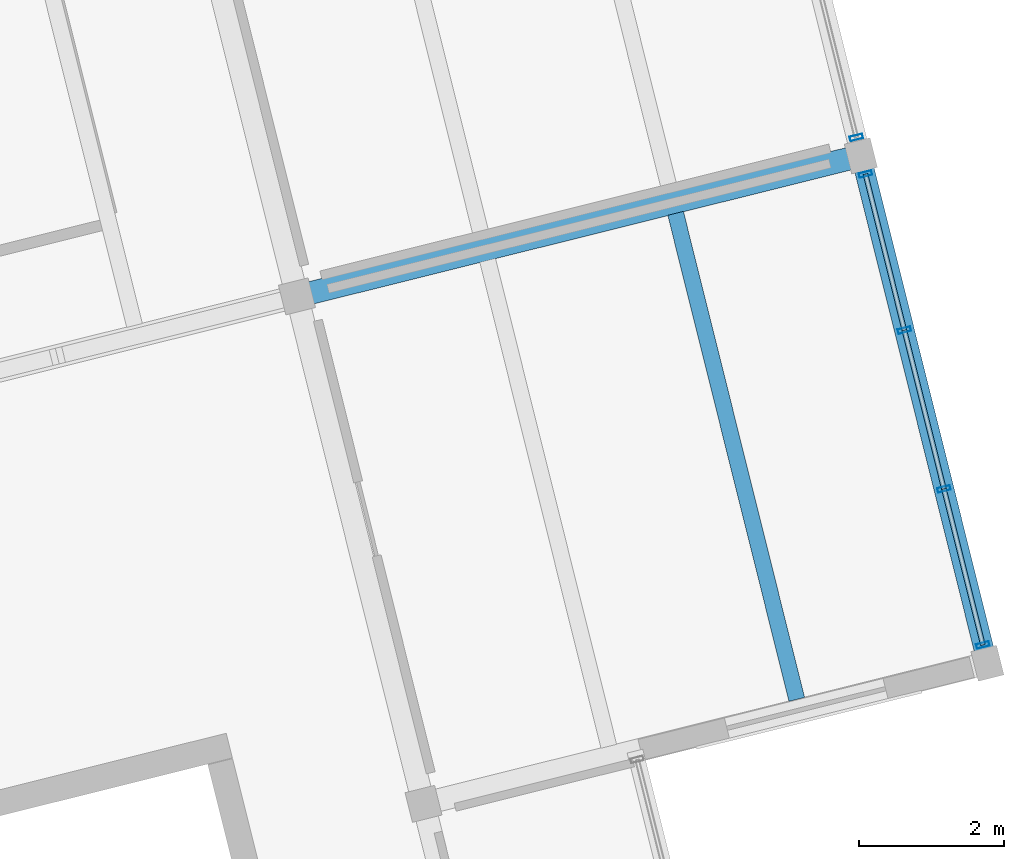
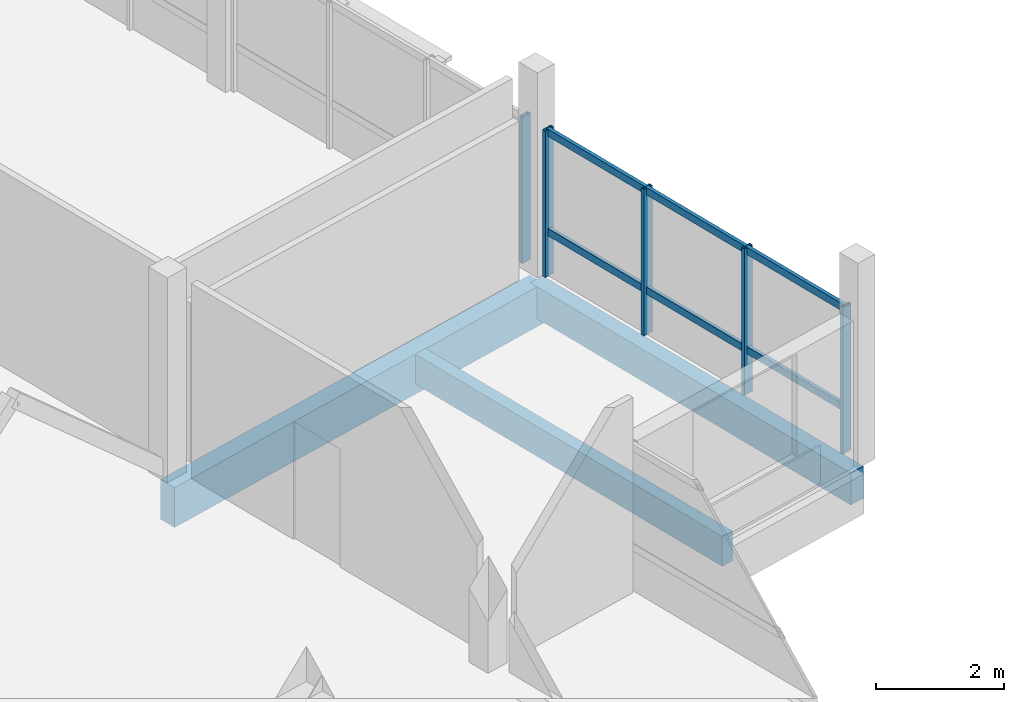
# One storey, part 16 of 28: 11 members, 3 beams, 2 elements without a shape of their own.
"""IFC4 building model written with IfcOpenShell, lengths in metres."""

from ifc_helpers import new_model, si_unit, direction, frame, origin, origin_2d, place, context, subcontext, project, spatial, rectangle, hollow_rectangle, extrude, material, layer, layer_set, material_profile, profile_set, type_object, element, aggregate, save


model = new_model("IFC4")

# Units and contexts
model_context = context("Model", 3, precision=1e-05, world=origin(), true_north=direction((0.0, 1.0)))
body_context = subcontext(model_context, "Body", "Model", "MODEL_VIEW")
ifc_project = project(units=[si_unit("LENGTHUNIT", "METRE"), si_unit("AREAUNIT", "SQUARE_METRE"), si_unit("VOLUMEUNIT", "CUBIC_METRE"), si_unit("PLANEANGLEUNIT", "RADIAN"), si_unit("MASSUNIT", "GRAM", prefix="KILO")], contexts=[model_context])

# Site, building, storey
site_placement = place(None, origin())
site = spatial("IfcSite", under=ifc_project, at=site_placement, CompositionType="ELEMENT")
building_placement = place(site_placement, origin())
building = spatial("IfcBuilding", under=site, at=building_placement, Name="Meriwether Solvik Hall", CompositionType="ELEMENT")
storey_placement = place(building_placement, frame((0.0, 0.0, 30.0)))
storey = spatial("IfcBuildingStorey", under=building, at=storey_placement, Name="L07", CompositionType="ELEMENT", Elevation=30.0)

# Beams
ifc_material_1 = material(Name="Glulam Douglas-Fir 24F-V8 GL28h", Category="wood")
ifc_material_profile_1 = material_profile(ifc_material_1, rectangle(XDim=0.27294921875, YDim=0.610107421875, at=origin_2d()), Name="GLB-273X610")
ifc_profile_set_1 = profile_set([ifc_material_profile_1], Name="Glulam Douglas-Fir 24F-V8 GL28h")
beam_type_1 = type_object("IfcBeamType", Name="BM-GL-273X610", PredefinedType="SPANDREL", material=ifc_profile_set_1)
beam_1_placement = place(storey_placement, frame((107.95458984375, 65.234619140625, -0.52490234375), z_axis=(-0.241937193493, 0.970291911955, 0.0), x_axis=(-0.970291911955, -0.241937193493, 0.0)))
element("IfcBeam", 1, at=beam_1_placement, inside=storey, type_object=beam_type_1, Name="Tower Girder T7:TC-TD (L07)", PredefinedType="SPANDREL", context=body_context, shape_type="SweptSolid", body=[
    extrude(rectangle(XDim=0.27294921875, YDim=0.610107421875, at=origin_2d()), origin(), (0.0, 0.0, 1.0), 7.199951171875),
])
ifc_material_2 = material(Name="Glulam Douglas-Fir 24F-V8 GL28h", Category="wood")
ifc_material_profile_2 = material_profile(ifc_material_2, rectangle(XDim=0.31494140625, YDim=0.760009765625, at=origin_2d()), Name="GLB-315X760")
ifc_profile_set_2 = profile_set([ifc_material_profile_2], Name="Glulam Douglas-Fir 24F-V8 GL28h")
beam_type_2 = type_object("IfcBeamType", Name="BM-GL-315X760", PredefinedType="BEAM", material=ifc_profile_set_2)
beam_2_placement = place(storey_placement, frame((98.4501953125, 70.285400390625, -0.60009765625), z_axis=(0.970298475929, 0.241910867076, 0.0), x_axis=(-0.241910867076, 0.970298475929, 0.0)))
element("IfcBeam", 2, at=beam_2_placement, inside=storey, type_object=beam_type_2, Name="Tower Girder TD:T6-T7 (L07)", PredefinedType="BEAM", context=body_context, shape_type="SweptSolid", body=[
    extrude(rectangle(XDim=0.31494140625, YDim=0.760009765625, at=origin_2d()), origin(), (0.0, 0.0, 1.0), 8.0),
])

# Curtain wall, members
ifc_material_3 = material(Name="Thermally Broken Anodised Aluminium 6063-T6 and Low-E Glass", Category="aluminium")
ifc_layer_1 = layer(ifc_material_3, 0.179931640625)
ifc_layer_set_1 = layer_set([ifc_layer_1], Name="Thermally Broken Anodised Aluminium 6063-T6 and Low-E Glass")
curtain_wall_type_1 = type_object("IfcCurtainWallType", Name="CW-UNIT-A", PredefinedType="USERDEFINED", material=ifc_layer_set_1)
curtain_wall_1_placement = place(storey_placement, origin())
curtain_wall_1 = element("IfcCurtainWall", 3, at=curtain_wall_1_placement, inside=storey, type_object=curtain_wall_type_1, Name="Curtain Wall E3_B0 (L07)", ObjectType="UNITISED CURTAIN WALL", PredefinedType="USERDEFINED")
ifc_material_4 = material(Name="Anodised Aluminium 6063-T6", Category="aluminium")
ifc_material_profile_3 = material_profile(ifc_material_4, hollow_rectangle(XDim=0.06494140625, YDim=0.179931640625, WallThickness=0.00439453125, at=origin_2d()), Name="CWM-65X180")
ifc_profile_set_3 = profile_set([ifc_material_profile_3], Name="Anodised Aluminium 6063-T6")
member_type_1 = type_object("IfcMemberType", Name="CW-MUL-65X180", PredefinedType="MULLION", material=ifc_profile_set_3)
member_1_placement = place(storey_placement, frame((106.275634765625, 71.968505859375, 0.0), z_axis=(0.0, 0.0, 1.0), x_axis=(0.241921847539, -0.970295738259, 0.0)))
member_1 = element("IfcMember", 4, at=member_1_placement, type_object=member_type_1, Name="Curtain Wall Mullion 1", PredefinedType="MULLION", context=body_context, shape_type="SweptSolid", body=[
    extrude(hollow_rectangle(XDim=0.06494140625, YDim=0.179931640625, WallThickness=0.00439453125, at=origin_2d()), origin(), (0.0, 0.0, 1.0), 2.7900390625),
])
member_2_placement = place(storey_placement, frame((106.811279296875, 69.8203125, 0.0), z_axis=(0.0, 0.0, 1.0), x_axis=(0.241921847539, -0.970295738259, 0.0)))
member_2 = element("IfcMember", 5, at=member_2_placement, type_object=member_type_1, Name="Curtain Wall Mullion 2", PredefinedType="MULLION", context=body_context, shape_type="SweptSolid", body=[
    extrude(hollow_rectangle(XDim=0.06494140625, YDim=0.179931640625, WallThickness=0.00439453125, at=origin_2d()), origin(), (0.0, 0.0, 1.0), 2.7900390625),
])
member_3_placement = place(storey_placement, frame((107.35595703125, 67.63525390625, 0.0), z_axis=(0.0, 0.0, 1.0), x_axis=(0.241921847539, -0.970295738259, 0.0)))
member_3 = element("IfcMember", 6, at=member_3_placement, type_object=member_type_1, Name="Curtain Wall Mullion 3", PredefinedType="MULLION", context=body_context, shape_type="SweptSolid", body=[
    extrude(hollow_rectangle(XDim=0.06494140625, YDim=0.179931640625, WallThickness=0.00439453125, at=origin_2d()), origin(), (0.0, 0.0, 1.0), 2.7900390625),
])
member_4_placement = place(storey_placement, frame((107.8916015625, 65.48681640625, 0.0), z_axis=(0.0, 0.0, 1.0), x_axis=(0.241921847539, -0.970295738259, 0.0)))
member_4 = element("IfcMember", 7, at=member_4_placement, type_object=member_type_1, Name="Curtain Wall Mullion 4", PredefinedType="MULLION", context=body_context, shape_type="SweptSolid", body=[
    extrude(hollow_rectangle(XDim=0.06494140625, YDim=0.179931640625, WallThickness=0.00439453125, at=origin_2d()), origin(), (0.0, 0.0, 1.0), 2.7900390625),
])

# Curtain wall, member
ifc_material_5 = material(Name="Thermally Broken Anodised Aluminium 6063-T6 and Low-E Glass", Category="aluminium")
ifc_layer_2 = layer(ifc_material_5, 0.179931640625)
ifc_layer_set_2 = layer_set([ifc_layer_2], Name="Thermally Broken Anodised Aluminium 6063-T6 and Low-E Glass")
curtain_wall_type_2 = type_object("IfcCurtainWallType", Name="CW-UNIT-B", PredefinedType="USERDEFINED", material=ifc_layer_set_2)
curtain_wall_2_placement = place(storey_placement, origin())
curtain_wall_2 = element("IfcCurtainWall", 8, at=curtain_wall_2_placement, inside=storey, type_object=curtain_wall_type_2, Name="Curtain Wall E3_B1 (L07)", ObjectType="UNITISED CURTAIN WALL", PredefinedType="USERDEFINED")
member_5_placement = place(storey_placement, frame((106.149658203125, 72.47314453125, 0.0), z_axis=(0.0, 0.0, 1.0), x_axis=(0.241921751704, -0.970295762153, 0.0)))
member_5 = element("IfcMember", 9, at=member_5_placement, type_object=member_type_1, Name="Curtain Wall Mullion 4", PredefinedType="MULLION", context=body_context, shape_type="SweptSolid", body=[
    extrude(hollow_rectangle(XDim=0.06494140625, YDim=0.179931640625, WallThickness=0.00439453125, at=origin_2d()), origin(), (0.0, 0.0, 1.0), 2.7900390625),
])
aggregate(curtain_wall_2, [member_5])

# Member
ifc_material_6 = material(Name="Anodised Aluminium 6063-T6", Category="aluminium")
ifc_material_profile_4 = material_profile(ifc_material_6, hollow_rectangle(XDim=0.06494140625, YDim=0.139892578125, WallThickness=0.00439453125, at=origin_2d()), Name="CWT-65X140")
ifc_profile_set_4 = profile_set([ifc_material_profile_4], Name="Anodised Aluminium 6063-T6")
member_type_2 = type_object("IfcMemberType", Name="CW-TRN-65X140", PredefinedType="USERDEFINED", material=ifc_profile_set_4)
member_6_placement = place(storey_placement, frame((106.275634765625, 71.968505859375, 0.8369140625), z_axis=(0.241938808, -0.970291509385, 0.0), x_axis=(0.970291509385, 0.241938808, 0.0)))
member_6 = element("IfcMember", 10, at=member_6_placement, type_object=member_type_2, Name="Curtain Wall Transom 1-sill", ObjectType="TRANSOM", PredefinedType="USERDEFINED", context=body_context, shape_type="SweptSolid", body=[
    extrude(hollow_rectangle(XDim=0.06494140625, YDim=0.139892578125, WallThickness=0.00439453125, at=origin_2d()), origin(), (0.0, 0.0, 1.0), 2.2138671875),
])

member_7_placement = place(storey_placement, frame((106.275634765625, 71.968505859375, 2.72998046875), z_axis=(0.241938808, -0.970291509385, 0.0), x_axis=(0.970291509385, 0.241938808, 0.0)))
member_7 = element("IfcMember", 11, at=member_7_placement, type_object=member_type_2, Name="Curtain Wall Transom 1-head", ObjectType="TRANSOM", PredefinedType="USERDEFINED", context=body_context, shape_type="SweptSolid", body=[
    extrude(hollow_rectangle(XDim=0.06494140625, YDim=0.139892578125, WallThickness=0.00439453125, at=origin_2d()), origin(), (0.0, 0.0, 1.0), 2.2138671875),
])

member_8_placement = place(storey_placement, frame((106.811279296875, 69.8203125, 0.8369140625), z_axis=(0.241872327867, -0.970308083555, 0.0), x_axis=(0.970308083555, 0.241872327867, 0.0)))
member_8 = element("IfcMember", 12, at=member_8_placement, type_object=member_type_2, Name="Curtain Wall Transom 2-sill", ObjectType="TRANSOM", PredefinedType="USERDEFINED", context=body_context, shape_type="SweptSolid", body=[
    extrude(hollow_rectangle(XDim=0.06494140625, YDim=0.139892578125, WallThickness=0.00439453125, at=origin_2d()), origin(), (0.0, 0.0, 1.0), 2.251953125),
])

member_9_placement = place(storey_placement, frame((106.811279296875, 69.8203125, 2.72998046875), z_axis=(0.241872327867, -0.970308083555, 0.0), x_axis=(0.970308083555, 0.241872327867, 0.0)))
member_9 = element("IfcMember", 13, at=member_9_placement, type_object=member_type_2, Name="Curtain Wall Transom 2-head", ObjectType="TRANSOM", PredefinedType="USERDEFINED", context=body_context, shape_type="SweptSolid", body=[
    extrude(hollow_rectangle(XDim=0.06494140625, YDim=0.139892578125, WallThickness=0.00439453125, at=origin_2d()), origin(), (0.0, 0.0, 1.0), 2.251953125),
])

member_10_placement = place(storey_placement, frame((107.35595703125, 67.63525390625, 0.8369140625), z_axis=(0.241912923984, -0.970297963107, 0.0), x_axis=(0.970297963107, 0.241912923984, 0.0)))
member_10 = element("IfcMember", 14, at=member_10_placement, type_object=member_type_2, Name="Curtain Wall Transom 3-sill", ObjectType="TRANSOM", PredefinedType="USERDEFINED", context=body_context, shape_type="SweptSolid", body=[
    extrude(hollow_rectangle(XDim=0.06494140625, YDim=0.139892578125, WallThickness=0.00439453125, at=origin_2d()), origin(), (0.0, 0.0, 1.0), 2.214111328125),
])

member_11_placement = place(storey_placement, frame((107.35595703125, 67.63525390625, 2.72998046875), z_axis=(0.241912923984, -0.970297963107, 0.0), x_axis=(0.970297963107, 0.241912923984, 0.0)))
member_11 = element("IfcMember", 15, at=member_11_placement, type_object=member_type_2, Name="Curtain Wall Transom 3-head", ObjectType="TRANSOM", PredefinedType="USERDEFINED", context=body_context, shape_type="SweptSolid", body=[
    extrude(hollow_rectangle(XDim=0.06494140625, YDim=0.139892578125, WallThickness=0.00439453125, at=origin_2d()), origin(), (0.0, 0.0, 1.0), 2.214111328125),
])

aggregate(curtain_wall_1, [member_1, member_2, member_3, member_4, member_6, member_7, member_8, member_9, member_10, member_11])

# Beam
ifc_material_7 = material(Name="Glulam Douglas-Fir 24F-V8 GL28h", Category="wood")
ifc_material_profile_5 = material_profile(ifc_material_7, rectangle(XDim=0.221923828125, YDim=0.570068359375, at=origin_2d()), Name="GLJ-222X570")
ifc_profile_set_5 = profile_set([ifc_material_profile_5], Name="Glulam Douglas-Fir 24F-V8 GL28h")
beam_type_3 = type_object("IfcBeamType", Name="JST-GL-222X570", PredefinedType="JOIST", material=ifc_profile_set_5)
beam_3_placement = place(storey_placement, frame((105.330078125, 64.737548828125, -0.5048828125), z_axis=(-0.241910719241, 0.970298512787, 0.0), x_axis=(-0.970298512787, -0.241910719241, 0.0)))
element("IfcBeam", 16, at=beam_3_placement, inside=storey, type_object=beam_type_3, Name="Glulam Floor Joist T6/TC-J2 (L07)", PredefinedType="JOIST", context=body_context, shape_type="SweptSolid", body=[
    extrude(rectangle(XDim=0.221923828125, YDim=0.570068359375, at=origin_2d()), origin(), (0.0, 0.0, 1.0), 6.89501953125),
])

save(model, "model.ifc")
